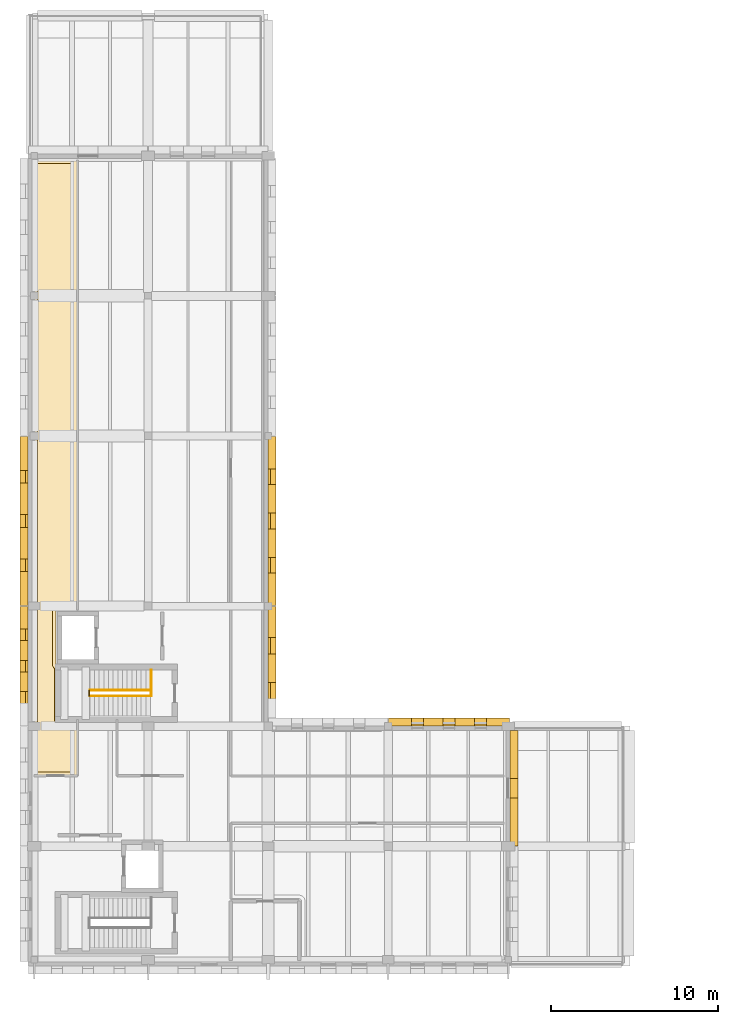
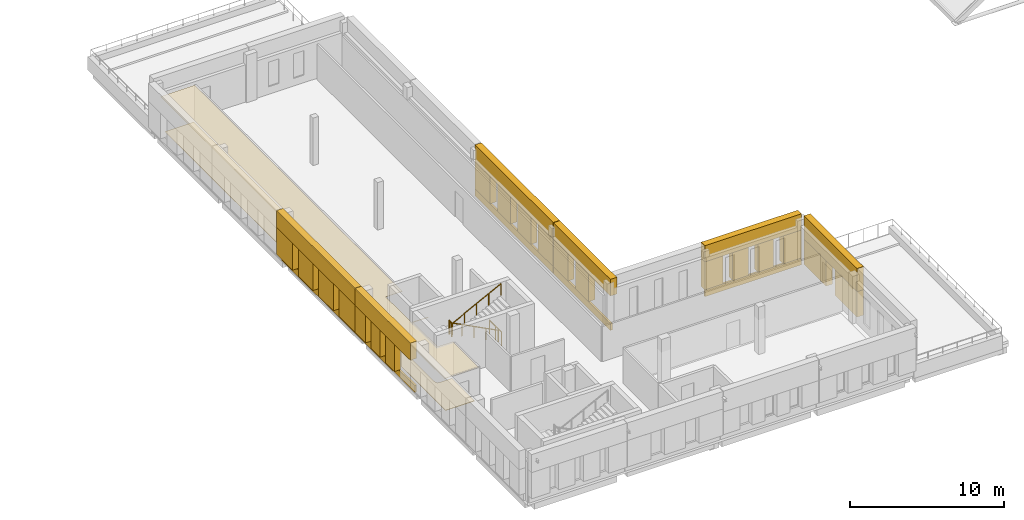
# One storey, part 13 of 15: 32 coverings, 4 railings.
"""IFC4 building model written with IfcOpenShell, lengths in metres."""

from ifc_helpers import new_model, si_unit, direction, frame, origin, origin_2d, place, context, subcontext, project, spatial, polyline, circle, outline, extrude, material, layer, layer_set, type_object, element, save


model = new_model("IFC4")

# Units and contexts
model_context = context("Model", 3, precision=1e-05, world=origin(), true_north=direction((0.0, 1.0)))
body_context = subcontext(model_context, "Body", "Model", "MODEL_VIEW")
ifc_project = project(units=[si_unit("LENGTHUNIT", "METRE"), si_unit("AREAUNIT", "SQUARE_METRE"), si_unit("VOLUMEUNIT", "CUBIC_METRE"), si_unit("PLANEANGLEUNIT", "RADIAN"), si_unit("MASSUNIT", "GRAM", prefix="KILO")], contexts=[model_context])

# Site, building, storey
site_placement = place(None, origin())
site = spatial("IfcSite", under=ifc_project, at=site_placement, CompositionType="ELEMENT")
building_placement = place(site_placement, origin())
building = spatial("IfcBuilding", under=site, at=building_placement, Name="Vardoun Plaza Health Centre", CompositionType="ELEMENT")
storey_placement = place(building_placement, frame((0.0, 0.0, 17.10009765625)))
storey = spatial("IfcBuildingStorey", under=building, at=storey_placement, Name="L04", CompositionType="ELEMENT", Elevation=17.10009765625)

# Coverings
ifc_material_1 = material(Name="Hygienic Acoustic Mineral-Fibre Ceiling", Category="concrete")
ifc_layer_1 = layer(ifc_material_1, 0.02490234375)
ifc_layer_set_1 = layer_set([ifc_layer_1], Name="Hygienic Acoustic Mineral-Fibre Ceiling")
covering_type_1 = type_object("IfcCoveringType", Name="CL-01", PredefinedType="CEILING", material=ifc_layer_set_1)
covering_1_placement = place(storey_placement, frame((0.0, 0.0, 2.72998046875)))
element("IfcCovering", 1, at=covering_1_placement, inside=storey, type_object=covering_type_1, Name="Terrace Waiting Lounge L04 Acoustic Ceiling", PredefinedType="CEILING", context=body_context, shape_type="SweptSolid", body=[
    extrude(outline(polyline([(4.860107421875, 52.840087890625), (7.449951171875, 52.840087890625), (7.449951171875, 25.860107421875), (6.199951171875, 25.860107421875), (6.198974609375, 25.860107421875), (6.197998046875, 25.85986328125), (6.197021484375, 25.859619140625), (6.1962890625, 25.859130859375), (6.1953125, 25.85888671875), (6.1943359375, 25.8583984375), (6.193603515625, 25.857666015625), (6.19287109375, 25.857177734375), (6.1923828125, 25.856201171875), (6.191650390625, 25.855712890625), (6.191162109375, 25.854736328125), (6.19091796875, 25.853759765625), (6.1904296875, 25.852783203125), (6.190185546875, 25.85205078125), (6.18994140625, 25.85107421875), (6.18994140625, 25.85009765625), (6.18994140625, 22.550048828125), (6.18994140625, 22.549072265625), (6.190185546875, 22.548095703125), (6.1904296875, 22.547119140625), (6.19091796875, 22.546142578125), (6.191162109375, 22.54541015625), (6.191650390625, 22.54443359375), (6.1923828125, 22.543701171875), (6.19287109375, 22.54296875), (6.193603515625, 22.542236328125), (6.1943359375, 22.541748046875), (6.1953125, 22.541259765625), (6.1962890625, 22.540771484375), (6.197021484375, 22.540283203125), (6.197998046875, 22.540283203125), (6.198974609375, 22.5400390625), (6.199951171875, 22.5400390625), (7.449951171875, 22.5400390625), (7.449951171875, 22.4599609375), (6.300048828125, 22.4599609375), (6.299072265625, 22.4599609375), (6.298095703125, 22.459716796875), (6.297119140625, 22.459716796875), (6.296142578125, 22.459228515625), (6.29541015625, 22.458740234375), (6.29443359375, 22.458251953125), (6.293701171875, 22.457763671875), (6.29296875, 22.45703125), (6.292236328125, 22.456298828125), (6.291748046875, 22.45556640625), (6.291259765625, 22.45458984375), (6.290771484375, 22.453857421875), (6.290283203125, 22.452880859375), (6.290283203125, 22.451904296875), (6.2900390625, 22.450927734375), (6.2900390625, 22.449951171875), (6.2900390625, 19.300048828125), (6.2900390625, 19.299072265625), (6.290283203125, 19.298095703125), (6.290283203125, 19.297119140625), (6.290771484375, 19.296142578125), (6.291259765625, 19.29541015625), (6.291748046875, 19.29443359375), (6.292236328125, 19.293701171875), (6.29296875, 19.29296875), (6.293701171875, 19.292236328125), (6.29443359375, 19.291748046875), (6.29541015625, 19.291259765625), (6.296142578125, 19.290771484375), (6.297119140625, 19.290283203125), (6.298095703125, 19.290283203125), (6.299072265625, 19.2900390625), (6.300048828125, 19.2900390625), (7.449951171875, 19.2900390625), (7.449951171875, 15.929931640625), (4.860107421875, 15.929931640625), (4.860107421875, 52.840087890625)])), origin(), (0.0, 0.0, 1.0), 0.02490234375),
])
ifc_material_2 = material(Name="Pale Limestone Concrete C35/45", Category="masonry")
ifc_layer_2 = layer(ifc_material_2, 0.080078125)
ifc_layer_set_2 = layer_set([ifc_layer_2], Name="Pale Limestone Concrete C35/45")
covering_type_2 = type_object("IfcCoveringType", Name="CL-EXT1", PredefinedType="CLADDING", material=ifc_layer_set_2)
covering_2_placement = place(storey_placement, origin())
element("IfcCovering", 2, at=covering_2_placement, inside=storey, type_object=covering_type_2, Name="V2 L04 Pale Concrete Sill Band 477", PredefinedType="CLADDING", context=body_context, shape_type="SweptSolid", body=[
    extrude(outline(polyline([(18.89990234375, 36.280029296875), (18.89990234375, 26.1201171875), (19.0400390625, 26.1201171875), (19.0400390625, 36.280029296875), (18.89990234375, 36.280029296875)])), origin(), (0.0, 0.0, 1.0), 0.5498046875),
])
covering_3_placement = place(storey_placement, frame((0.0, 0.0, 2.72998046875)))
element("IfcCovering", 3, at=covering_3_placement, inside=storey, type_object=covering_type_2, Name="V2 L04 Sculpted Concrete Eyebrow Hood 478", PredefinedType="CLADDING", context=body_context, shape_type="SweptSolid", body=[
    extrude(outline(polyline([(18.89990234375, 36.280029296875), (18.89990234375, 26.1201171875), (19.3798828125, 26.1201171875), (19.3798828125, 36.280029296875), (18.89990234375, 36.280029296875)])), origin(), (0.0, 0.0, 1.0), 1.31982421875),
])
covering_4_placement = place(storey_placement, frame((0.0, 0.0, 0.5498046875)))
element("IfcCovering", 4, at=covering_4_placement, inside=storey, type_object=covering_type_2, Name="V2 L04 Deep-Punched Slot Concrete Reveal Pier 479", PredefinedType="CLADDING", context=body_context, shape_type="SweptSolid", body=[
    extrude(outline(polyline([(18.89990234375, 36.280029296875), (18.89990234375, 34.322021484375), (19.3798828125, 34.322021484375), (19.3798828125, 36.280029296875), (18.89990234375, 36.280029296875)])), origin(), (0.0, 0.0, 1.0), 2.18017578125),
])
covering_5_placement = place(storey_placement, frame((0.0, 0.0, 0.5498046875)))
element("IfcCovering", 5, at=covering_5_placement, inside=storey, type_object=covering_type_2, Name="V2 L04 Deep-Punched Slot Concrete Reveal Pier 480", PredefinedType="CLADDING", context=body_context, shape_type="SweptSolid", body=[
    extrude(outline(polyline([(18.89990234375, 33.382080078125), (18.89990234375, 31.669921875), (19.3798828125, 31.669921875), (19.3798828125, 33.382080078125), (18.89990234375, 33.382080078125)])), origin(), (0.0, 0.0, 1.0), 2.18017578125),
])
covering_6_placement = place(storey_placement, frame((0.0, 0.0, 0.5498046875)))
element("IfcCovering", 6, at=covering_6_placement, inside=storey, type_object=covering_type_2, Name="V2 L04 Deep-Punched Slot Concrete Reveal Pier 481", PredefinedType="CLADDING", context=body_context, shape_type="SweptSolid", body=[
    extrude(outline(polyline([(18.89990234375, 30.72998046875), (18.89990234375, 29.01806640625), (19.3798828125, 29.01806640625), (19.3798828125, 30.72998046875), (18.89990234375, 30.72998046875)])), origin(), (0.0, 0.0, 1.0), 2.18017578125),
])
covering_7_placement = place(storey_placement, frame((0.0, 0.0, 0.5498046875)))
element("IfcCovering", 7, at=covering_7_placement, inside=storey, type_object=covering_type_2, Name="V2 L04 Deep-Punched Slot Concrete Reveal Pier 482", PredefinedType="CLADDING", context=body_context, shape_type="SweptSolid", body=[
    extrude(outline(polyline([(18.89990234375, 28.077880859375), (18.89990234375, 26.1201171875), (19.3798828125, 26.1201171875), (19.3798828125, 28.077880859375), (18.89990234375, 28.077880859375)])), origin(), (0.0, 0.0, 1.0), 2.18017578125),
])
covering_8_placement = place(storey_placement, origin())
element("IfcCovering", 8, at=covering_8_placement, inside=storey, type_object=covering_type_2, Name="V2 L04 Pale Concrete Sill Band 483", PredefinedType="CLADDING", context=body_context, shape_type="SweptSolid", body=[
    extrude(outline(polyline([(18.89990234375, 26.080078125), (18.89990234375, 18.669921875), (19.0400390625, 18.669921875), (19.0400390625, 26.080078125), (18.89990234375, 26.080078125)])), origin(), (0.0, 0.0, 1.0), 0.5498046875),
])
covering_9_placement = place(storey_placement, frame((0.0, 0.0, 2.72998046875)))
element("IfcCovering", 9, at=covering_9_placement, inside=storey, type_object=covering_type_2, Name="V2 L04 Sculpted Concrete Eyebrow Hood 484", PredefinedType="CLADDING", context=body_context, shape_type="SweptSolid", body=[
    extrude(outline(polyline([(18.89990234375, 26.080078125), (18.89990234375, 18.669921875), (19.3798828125, 18.669921875), (19.3798828125, 26.080078125), (18.89990234375, 26.080078125)])), origin(), (0.0, 0.0, 1.0), 1.31982421875),
])
covering_10_placement = place(storey_placement, frame((0.0, 0.0, 0.5498046875)))
element("IfcCovering", 10, at=covering_10_placement, inside=storey, type_object=covering_type_2, Name="V2 L04 Deep-Punched Slot Concrete Reveal Pier 485", PredefinedType="CLADDING", context=body_context, shape_type="SweptSolid", body=[
    extrude(outline(polyline([(18.89990234375, 26.080078125), (18.89990234375, 24.2060546875), (19.3798828125, 24.2060546875), (19.3798828125, 26.080078125), (18.89990234375, 26.080078125)])), origin(), (0.0, 0.0, 1.0), 2.18017578125),
])
covering_11_placement = place(storey_placement, frame((0.0, 0.0, 0.5498046875)))
element("IfcCovering", 11, at=covering_11_placement, inside=storey, type_object=covering_type_2, Name="V2 L04 Deep-Punched Slot Concrete Reveal Pier 486", PredefinedType="CLADDING", context=body_context, shape_type="SweptSolid", body=[
    extrude(outline(polyline([(18.89990234375, 23.22607421875), (18.89990234375, 21.52392578125), (19.3798828125, 21.52392578125), (19.3798828125, 23.22607421875), (18.89990234375, 23.22607421875)])), origin(), (0.0, 0.0, 1.0), 2.18017578125),
])
covering_12_placement = place(storey_placement, origin())
element("IfcCovering", 12, at=covering_12_placement, inside=storey, type_object=covering_type_2, Name="V2 L04 Pale Concrete Sill Band 494", PredefinedType="CLADDING", context=body_context, shape_type="SweptSolid", body=[
    extrude(outline(polyline([(26.1201171875, 18.89990234375), (33.3798828125, 18.89990234375), (33.3798828125, 19.0400390625), (26.1201171875, 19.0400390625), (26.1201171875, 18.89990234375)])), origin(), (0.0, 0.0, 1.0), 0.5498046875),
])
covering_13_placement = place(storey_placement, frame((0.0, 0.0, 2.77001953125)))
element("IfcCovering", 13, at=covering_13_placement, inside=storey, type_object=covering_type_2, Name="V2 L04 Sculpted Concrete Eyebrow Hood 495", PredefinedType="CLADDING", context=body_context, shape_type="SweptSolid", body=[
    extrude(outline(polyline([(26.1201171875, 18.89990234375), (33.3798828125, 18.89990234375), (33.3798828125, 19.3798828125), (26.1201171875, 19.3798828125), (26.1201171875, 18.89990234375)])), origin(), (0.0, 0.0, 1.0), 1.27978515625),
])
covering_14_placement = place(storey_placement, frame((0.0, 0.0, 0.5498046875)))
element("IfcCovering", 14, at=covering_14_placement, inside=storey, type_object=covering_type_2, Name="V2 L04 Deep-Punched Slot Concrete Reveal Pier 496", PredefinedType="CLADDING", context=body_context, shape_type="SweptSolid", body=[
    extrude(outline(polyline([(26.1201171875, 18.89990234375), (27.491943359375, 18.89990234375), (27.491943359375, 19.3798828125), (26.1201171875, 19.3798828125), (26.1201171875, 18.89990234375)])), origin(), (0.0, 0.0, 1.0), 2.22021484375),
])
covering_15_placement = place(storey_placement, frame((0.0, 0.0, 0.5498046875)))
element("IfcCovering", 15, at=covering_15_placement, inside=storey, type_object=covering_type_2, Name="V2 L04 Deep-Punched Slot Concrete Reveal Pier 497", PredefinedType="CLADDING", context=body_context, shape_type="SweptSolid", body=[
    extrude(outline(polyline([(28.2119140625, 18.89990234375), (29.389892578125, 18.89990234375), (29.389892578125, 19.3798828125), (28.2119140625, 19.3798828125), (28.2119140625, 18.89990234375)])), origin(), (0.0, 0.0, 1.0), 2.22021484375),
])
covering_16_placement = place(storey_placement, frame((0.0, 0.0, 0.5498046875)))
element("IfcCovering", 16, at=covering_16_placement, inside=storey, type_object=covering_type_2, Name="V2 L04 Deep-Punched Slot Concrete Reveal Pier 498", PredefinedType="CLADDING", context=body_context, shape_type="SweptSolid", body=[
    extrude(outline(polyline([(30.110107421875, 18.89990234375), (31.2880859375, 18.89990234375), (31.2880859375, 19.3798828125), (30.110107421875, 19.3798828125), (30.110107421875, 18.89990234375)])), origin(), (0.0, 0.0, 1.0), 2.22021484375),
])
covering_17_placement = place(storey_placement, frame((0.0, 0.0, 0.5498046875)))
element("IfcCovering", 17, at=covering_17_placement, inside=storey, type_object=covering_type_2, Name="V2 L04 Deep-Punched Slot Concrete Reveal Pier 499", PredefinedType="CLADDING", context=body_context, shape_type="SweptSolid", body=[
    extrude(outline(polyline([(32.008056640625, 18.89990234375), (33.3798828125, 18.89990234375), (33.3798828125, 19.3798828125), (32.008056640625, 19.3798828125), (32.008056640625, 18.89990234375)])), origin(), (0.0, 0.0, 1.0), 2.22021484375),
])
covering_18_placement = place(storey_placement, frame((0.0, 0.0, 2.2099609375)))
element("IfcCovering", 18, at=covering_18_placement, inside=storey, type_object=covering_type_2, Name="V2 L04 Sculpted Concrete Eyebrow Hood 500", PredefinedType="CLADDING", context=body_context, shape_type="SweptSolid", body=[
    extrude(outline(polyline([(33.39990234375, 18.6298828125), (33.39990234375, 11.719970703125), (33.8798828125, 11.719970703125), (33.8798828125, 18.6298828125), (33.39990234375, 18.6298828125)])), origin(), (0.0, 0.0, 1.0), 1.83984375),
])
covering_19_placement = place(storey_placement, frame((0.0, 0.0, 0.18994140625)))
element("IfcCovering", 19, at=covering_19_placement, inside=storey, type_object=covering_type_2, Name="V2 L04 Deep-Punched Slot Concrete Reveal Pier 501", PredefinedType="CLADDING", context=body_context, shape_type="SweptSolid", body=[
    extrude(outline(polyline([(33.39990234375, 18.6298828125), (33.39990234375, 15.77001953125), (33.8798828125, 15.77001953125), (33.8798828125, 18.6298828125), (33.39990234375, 18.6298828125)])), origin(), (0.0, 0.0, 1.0), 2.02001953125),
])
covering_20_placement = place(storey_placement, frame((0.0, 0.0, 0.18994140625)))
element("IfcCovering", 20, at=covering_20_placement, inside=storey, type_object=covering_type_2, Name="V2 L04 Deep-Punched Slot Concrete Reveal Pier 502", PredefinedType="CLADDING", context=body_context, shape_type="SweptSolid", body=[
    extrude(outline(polyline([(33.39990234375, 14.580078125), (33.39990234375, 11.719970703125), (33.8798828125, 11.719970703125), (33.8798828125, 14.580078125), (33.39990234375, 14.580078125)])), origin(), (0.0, 0.0, 1.0), 2.02001953125),
])
covering_21_placement = place(storey_placement, origin())
element("IfcCovering", 21, at=covering_21_placement, inside=storey, type_object=covering_type_2, Name="V2 L04 Pale Concrete Sill Band 544", PredefinedType="CLADDING", context=body_context, shape_type="SweptSolid", body=[
    extrude(outline(polyline([(4.5, 18.919921875), (4.5, 26.080078125), (4.360107421875, 26.080078125), (4.360107421875, 18.919921875), (4.5, 18.919921875)])), origin(), (0.0, 0.0, 1.0), 0.5498046875),
])
covering_22_placement = place(storey_placement, frame((0.0, 0.0, 2.68994140625)))
element("IfcCovering", 22, at=covering_22_placement, inside=storey, type_object=covering_type_2, Name="V2 L04 Sculpted Concrete Eyebrow Hood 545", PredefinedType="CLADDING", context=body_context, shape_type="SweptSolid", body=[
    extrude(outline(polyline([(4.5, 18.919921875), (4.5, 26.080078125), (4.02001953125, 26.080078125), (4.02001953125, 18.919921875), (4.5, 18.919921875)])), origin(), (0.0, 0.0, 1.0), 1.35986328125),
])
covering_23_placement = place(storey_placement, frame((0.0, 0.0, 0.5498046875)))
element("IfcCovering", 23, at=covering_23_placement, inside=storey, type_object=covering_type_2, Name="V2 L04 Deep-Punched Slot Concrete Reveal Pier 547", PredefinedType="CLADDING", context=body_context, shape_type="SweptSolid", body=[
    extrude(outline(polyline([(4.5, 20.972900390625), (4.5, 22.155029296875), (4.02001953125, 22.155029296875), (4.02001953125, 20.972900390625), (4.5, 20.972900390625)])), origin(), (0.0, 0.0, 1.0), 2.14013671875),
])
covering_24_placement = place(storey_placement, frame((0.0, 0.0, 0.5498046875)))
element("IfcCovering", 24, at=covering_24_placement, inside=storey, type_object=covering_type_2, Name="V2 L04 Deep-Punched Slot Concrete Reveal Pier 548", PredefinedType="CLADDING", context=body_context, shape_type="SweptSolid", body=[
    extrude(outline(polyline([(4.5, 22.844970703125), (4.5, 24.027099609375), (4.02001953125, 24.027099609375), (4.02001953125, 22.844970703125), (4.5, 22.844970703125)])), origin(), (0.0, 0.0, 1.0), 2.14013671875),
])
covering_25_placement = place(storey_placement, frame((0.0, 0.0, 0.5498046875)))
element("IfcCovering", 25, at=covering_25_placement, inside=storey, type_object=covering_type_2, Name="V2 L04 Deep-Punched Slot Concrete Reveal Pier 549", PredefinedType="CLADDING", context=body_context, shape_type="SweptSolid", body=[
    extrude(outline(polyline([(4.5, 24.717041015625), (4.5, 26.080078125), (4.02001953125, 26.080078125), (4.02001953125, 24.717041015625), (4.5, 24.717041015625)])), origin(), (0.0, 0.0, 1.0), 2.14013671875),
])
covering_26_placement = place(storey_placement, origin())
element("IfcCovering", 26, at=covering_26_placement, inside=storey, type_object=covering_type_2, Name="V2 L04 Pale Concrete Sill Band 550", PredefinedType="CLADDING", context=body_context, shape_type="SweptSolid", body=[
    extrude(outline(polyline([(4.5, 26.1201171875), (4.5, 36.280029296875), (4.360107421875, 36.280029296875), (4.360107421875, 26.1201171875), (4.5, 26.1201171875)])), origin(), (0.0, 0.0, 1.0), 0.5498046875),
])
covering_27_placement = place(storey_placement, frame((0.0, 0.0, 2.68994140625)))
element("IfcCovering", 27, at=covering_27_placement, inside=storey, type_object=covering_type_2, Name="V2 L04 Sculpted Concrete Eyebrow Hood 551", PredefinedType="CLADDING", context=body_context, shape_type="SweptSolid", body=[
    extrude(outline(polyline([(4.5, 26.1201171875), (4.5, 36.280029296875), (4.02001953125, 36.280029296875), (4.02001953125, 26.1201171875), (4.5, 26.1201171875)])), origin(), (0.0, 0.0, 1.0), 1.35986328125),
])
covering_28_placement = place(storey_placement, frame((0.0, 0.0, 0.5498046875)))
element("IfcCovering", 28, at=covering_28_placement, inside=storey, type_object=covering_type_2, Name="V2 L04 Deep-Punched Slot Concrete Reveal Pier 552", PredefinedType="CLADDING", context=body_context, shape_type="SweptSolid", body=[
    extrude(outline(polyline([(4.5, 26.1201171875), (4.5, 28.173095703125), (4.02001953125, 28.173095703125), (4.02001953125, 26.1201171875), (4.5, 26.1201171875)])), origin(), (0.0, 0.0, 1.0), 2.14013671875),
])
covering_29_placement = place(storey_placement, frame((0.0, 0.0, 0.5498046875)))
element("IfcCovering", 29, at=covering_29_placement, inside=storey, type_object=covering_type_2, Name="V2 L04 Deep-Punched Slot Concrete Reveal Pier 553", PredefinedType="CLADDING", context=body_context, shape_type="SweptSolid", body=[
    extrude(outline(polyline([(4.5, 28.923095703125), (4.5, 30.824951171875), (4.02001953125, 30.824951171875), (4.02001953125, 28.923095703125), (4.5, 28.923095703125)])), origin(), (0.0, 0.0, 1.0), 2.14013671875),
])
covering_30_placement = place(storey_placement, frame((0.0, 0.0, 0.5498046875)))
element("IfcCovering", 30, at=covering_30_placement, inside=storey, type_object=covering_type_2, Name="V2 L04 Deep-Punched Slot Concrete Reveal Pier 554", PredefinedType="CLADDING", context=body_context, shape_type="SweptSolid", body=[
    extrude(outline(polyline([(4.5, 31.574951171875), (4.5, 33.47705078125), (4.02001953125, 33.47705078125), (4.02001953125, 31.574951171875), (4.5, 31.574951171875)])), origin(), (0.0, 0.0, 1.0), 2.14013671875),
])
covering_31_placement = place(storey_placement, frame((0.0, 0.0, 0.5498046875)))
element("IfcCovering", 31, at=covering_31_placement, inside=storey, type_object=covering_type_2, Name="V2 L04 Deep-Punched Slot Concrete Reveal Pier 555", PredefinedType="CLADDING", context=body_context, shape_type="SweptSolid", body=[
    extrude(outline(polyline([(4.5, 34.22705078125), (4.5, 36.280029296875), (4.02001953125, 36.280029296875), (4.02001953125, 34.22705078125), (4.5, 34.22705078125)])), origin(), (0.0, 0.0, 1.0), 2.14013671875),
])
ifc_material_3 = material(Name="Polished Lebanese Limestone Terrazzo", Category="masonry")
ifc_layer_3 = layer(ifc_material_3, 0.030029296875)
ifc_layer_set_3 = layer_set([ifc_layer_3], Name="Polished Lebanese Limestone Terrazzo")
covering_type_3 = type_object("IfcCoveringType", Name="FL-02", PredefinedType="FLOORING", material=ifc_layer_set_3)
covering_32_placement = place(storey_placement, origin())
element("IfcCovering", 32, at=covering_32_placement, inside=storey, type_object=covering_type_3, Name="Terrace Waiting Lounge L04 Floor Finish", PredefinedType="FLOORING", context=body_context, shape_type="SweptSolid", body=[
    extrude(outline(polyline([(5.070068359375, 52.6298828125), (7.239990234375, 52.6298828125), (7.239990234375, 26.070068359375), (6.199951171875, 26.070068359375), (6.178466796875, 26.06884765625), (6.156982421875, 26.06591796875), (6.135986328125, 26.060546875), (6.11572265625, 26.05322265625), (6.09619140625, 26.0439453125), (6.077880859375, 26.032958984375), (6.060302734375, 26.02001953125), (6.04443359375, 26.005615234375), (6.02978515625, 25.989501953125), (6.01708984375, 25.97216796875), (6.006103515625, 25.95361328125), (5.99658203125, 25.93408203125), (5.989501953125, 25.913818359375), (5.984130859375, 25.892822265625), (5.981201171875, 25.87158203125), (5.97998046875, 25.85009765625), (5.97998046875, 22.550048828125), (5.981201171875, 22.5283203125), (5.984130859375, 22.507080078125), (5.989501953125, 22.486083984375), (5.99658203125, 22.4658203125), (6.006103515625, 22.4462890625), (6.01708984375, 22.427734375), (6.02978515625, 22.410400390625), (6.04443359375, 22.394287109375), (6.060302734375, 22.3798828125), (6.077880859375, 22.3671875), (6.080078125, 22.36572265625), (6.080078125, 19.300048828125), (6.0810546875, 19.2783203125), (6.084228515625, 19.257080078125), (6.089599609375, 19.236083984375), (6.0966796875, 19.2158203125), (6.10595703125, 19.1962890625), (6.1171875, 19.177734375), (6.1298828125, 19.160400390625), (6.144287109375, 19.144287109375), (6.160400390625, 19.1298828125), (6.177734375, 19.1171875), (6.1962890625, 19.10595703125), (6.2158203125, 19.0966796875), (6.236083984375, 19.089599609375), (6.257080078125, 19.084228515625), (6.2783203125, 19.0810546875), (6.300048828125, 19.080078125), (7.239990234375, 19.080078125), (7.239990234375, 16.139892578125), (5.070068359375, 16.139892578125), (5.070068359375, 52.6298828125)])), origin(), (0.0, 0.0, 1.0), 0.02978515625),
])

# Railings
ifc_material_4 = material(Name="Painted Steel S275JR Stair-Well Guardrail", Category="steel")
railing_type_1 = type_object("IfcRailingType", Name="GR-04", PredefinedType="GUARDRAIL", material=ifc_material_4)
railing_1_placement = place(storey_placement, frame((11.889892578125, 20.705078125, 0.0)))
element("IfcRailing", 33, at=railing_1_placement, inside=storey, type_object=railing_type_1, Name="Stair ST-C2-L03 Upper Landing Well Guard", PredefinedType="GUARDRAIL", context=body_context, shape_type="SweptSolid", body=[
    extrude(circle(Radius=0.02392578125, at=origin_2d()), frame((0.0, 0.0, 1.09619140625), z_axis=(0.0, 1.0, 0.0), x_axis=(-1.0, 0.0, 0.0)), (0.0, 0.0, 1.0), 1.56494140625),
    extrude(circle(Radius=0.02099609375, at=origin_2d()), origin(), (0.0, 0.0, 1.0), 1.072021484375),
    extrude(circle(Radius=0.02099609375, at=origin_2d()), frame((0.0, 0.782470703125, 0.0)), (0.0, 0.0, 1.0), 1.072021484375),
    extrude(circle(Radius=0.02099609375, at=origin_2d()), frame((0.0, 1.56494140625, 0.0)), (0.0, 0.0, 1.0), 1.072021484375),
])
railing_2_placement = place(storey_placement, frame((8.169921875, 20.705078125, 2.02490234375)))
element("IfcRailing", 34, at=railing_2_placement, inside=storey, type_object=railing_type_1, Name="Stair ST-C2-L04 Mid-Landing Well Guard", PredefinedType="GUARDRAIL", context=body_context, shape_type="SweptSolid", body=[
    extrude(circle(Radius=0.02392578125, at=origin_2d()), frame((0.0, 0.0, 1.09619140625), z_axis=(0.0, 1.0, 0.0), x_axis=(-1.0, 0.0, 0.0)), (0.0, 0.0, 1.0), 0.33984375),
    extrude(circle(Radius=0.02099609375, at=origin_2d()), origin(), (0.0, 0.0, 1.0), 1.072021484375),
    extrude(circle(Radius=0.02099609375, at=origin_2d()), frame((0.0, 0.33984375, 0.0)), (0.0, 0.0, 1.0), 1.072021484375),
])
ifc_material_5 = material(Name="Brushed Stainless Steel Grade 316L", Category="steel")
railing_type_2 = type_object("IfcRailingType", Name="HR-01", PredefinedType="HANDRAIL", material=ifc_material_5)
railing_3_placement = place(storey_placement, frame((11.85009765625, 21.044921875, 0.14453125)))
element("IfcRailing", 35, at=railing_3_placement, inside=storey, type_object=railing_type_2, Name="Stair ST-C2-L04 Flight 1 Handrail", PredefinedType="HANDRAIL", context=body_context, shape_type="SweptSolid", body=[
    extrude(circle(Radius=0.02392578125, at=origin_2d()), frame((0.0, 0.0, 0.89599609375), z_axis=(-0.888462354727, 0.0, 0.458949500745), x_axis=(0.0, -1.0, 0.0)), (0.0, 0.0, 1.0), 4.09716796875),
    extrude(circle(Radius=0.02099609375, at=origin_2d()), origin(), (0.0, 0.0, 1.0), 0.871826171875),
    extrude(circle(Radius=0.02099609375, at=origin_2d()), frame((-0.91015625, 0.0, 0.47021484375)), (0.0, 0.0, 1.0), 0.871826171875),
    extrude(circle(Radius=0.02099609375, at=origin_2d()), frame((-1.820068359375, 0.0, 0.940185546875)), (0.0, 0.0, 1.0), 0.871826171875),
    extrude(circle(Radius=0.02099609375, at=origin_2d()), frame((-2.72998046875, 0.0, 1.41015625)), (0.0, 0.0, 1.0), 0.871826171875),
    extrude(circle(Radius=0.02099609375, at=origin_2d()), frame((-3.64013671875, 0.0, 1.88037109375)), (0.0, 0.0, 1.0), 0.871826171875),
])
railing_4_placement = place(storey_placement, frame((8.2099609375, 20.705078125, 2.16943359375)))
element("IfcRailing", 36, at=railing_4_placement, inside=storey, type_object=railing_type_2, Name="Stair ST-C2-L04 Flight 2 Handrail", PredefinedType="HANDRAIL", context=body_context, shape_type="SweptSolid", body=[
    extrude(circle(Radius=0.02392578125, at=origin_2d()), frame((0.0, 0.0, 0.89599609375), z_axis=(0.888462354727, 0.0, 0.458949500745), x_axis=(0.0, 1.0, 0.0)), (0.0, 0.0, 1.0), 4.09716796875),
    extrude(circle(Radius=0.02099609375, at=origin_2d()), origin(), (0.0, 0.0, 1.0), 0.871826171875),
    extrude(circle(Radius=0.02099609375, at=origin_2d()), frame((0.91015625, 0.0, 0.47021484375)), (0.0, 0.0, 1.0), 0.871826171875),
    extrude(circle(Radius=0.02099609375, at=origin_2d()), frame((1.820068359375, 0.0, 0.940185546875)), (0.0, 0.0, 1.0), 0.871826171875),
    extrude(circle(Radius=0.02099609375, at=origin_2d()), frame((2.72998046875, 0.0, 1.41015625)), (0.0, 0.0, 1.0), 0.871826171875),
    extrude(circle(Radius=0.02099609375, at=origin_2d()), frame((3.64013671875, 0.0, 1.88037109375)), (0.0, 0.0, 1.0), 0.871826171875),
])

save(model, "model.ifc")
